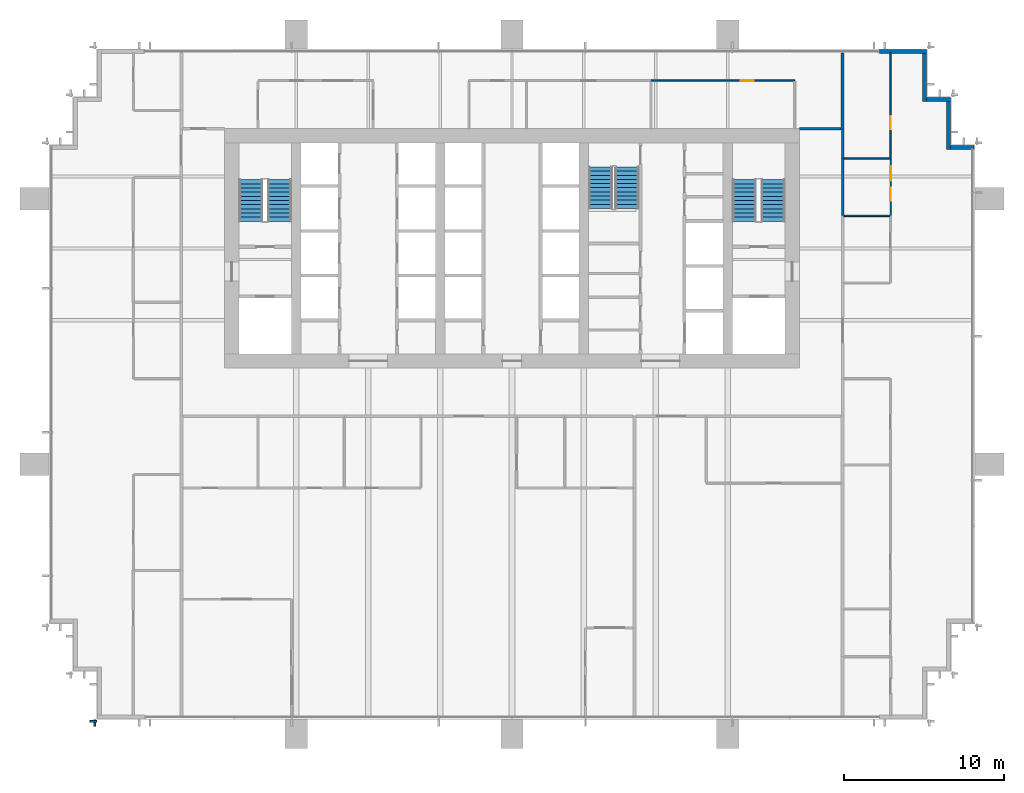
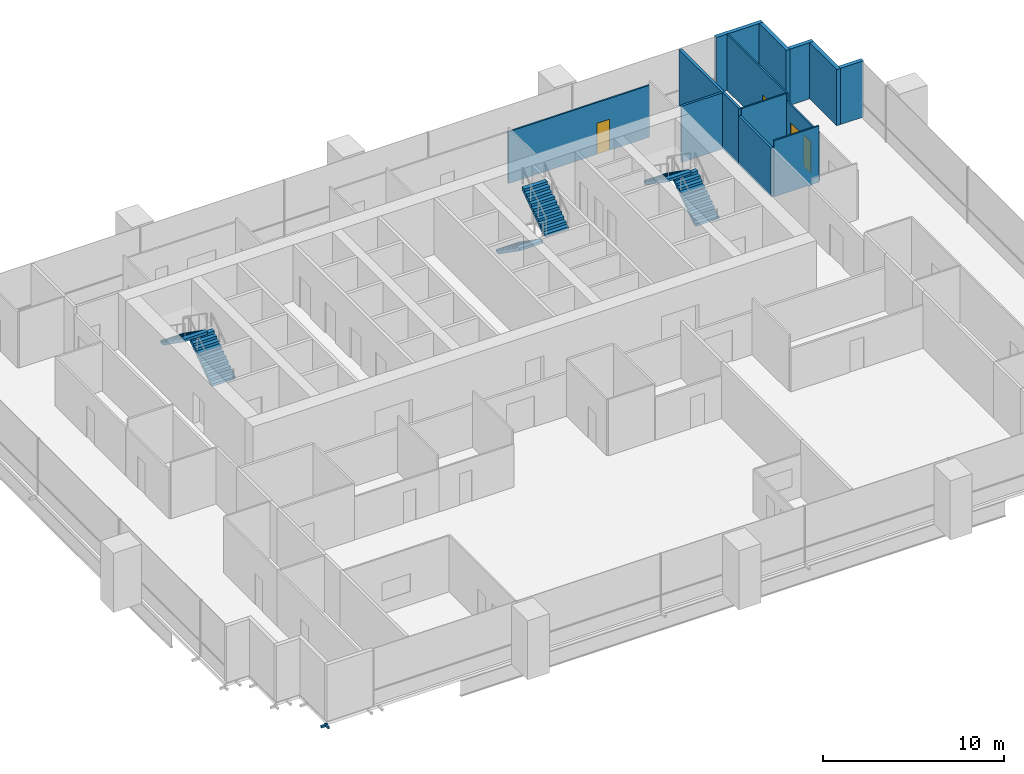
# One storey, part 14 of 16: 14 walls, 6 stair flights, 3 doors, 2 discrete accessories, 1 window, 4 openings, 3 elements without a shape of their own.
"""IFC4 building model written with IfcOpenShell, lengths in metres."""

from ifc_helpers import new_model, si_unit, direction, frame, frame_2d, origin, origin_2d, place, context, subcontext, project, spatial, polyline, rectangle, outline, extrude, material, layer, layer_set, type_object, element, fill, aggregate, save


model = new_model("IFC4")

# Units and contexts
model_context = context("Model", 3, precision=1e-05, world=origin(), true_north=direction((0.0, 1.0)))
body_context = subcontext(model_context, "Body", "Model", "MODEL_VIEW")
ifc_project = project(units=[si_unit("LENGTHUNIT", "METRE"), si_unit("AREAUNIT", "SQUARE_METRE"), si_unit("VOLUMEUNIT", "CUBIC_METRE"), si_unit("PLANEANGLEUNIT", "RADIAN"), si_unit("MASSUNIT", "GRAM", prefix="KILO")], contexts=[model_context])

# Site, building, storey
site_placement = place(None, origin())
site = spatial("IfcSite", under=ifc_project, at=site_placement, CompositionType="ELEMENT")
building_placement = place(site_placement, origin())
building = spatial("IfcBuilding", under=site, at=building_placement, Name="Rattan Terrace Tower", CompositionType="ELEMENT")
storey_placement = place(building_placement, frame((0.0, 0.0, 130.10009765625)))
storey = spatial("IfcBuildingStorey", under=building, at=storey_placement, Name="L29", CompositionType="ELEMENT", Elevation=130.10009765625)

# Walls
ifc_material_1 = material(Name="Insulated aluminium-clad stud wall", Category="aluminium")
ifc_layer_1 = layer(ifc_material_1, 0.25)
ifc_layer_set_1 = layer_set([ifc_layer_1], Name="Facade Riser Wall 250")
wall_type_1 = type_object("IfcWallType", Name="Facade Riser Wall 250", PredefinedType="SOLIDWALL", material=ifc_layer_set_1)
wall_1_placement = place(storey_placement, frame((28.909912109375, 6.330078125, 0.0), z_axis=(0.0, 0.0, 1.0), x_axis=(-1.0, 0.0, 0.0)))
element("IfcWall", 1, at=wall_1_placement, inside=storey, type_object=wall_type_1, Name="Riser wall L29-6", PredefinedType="SOLIDWALL", context=body_context, shape_type="SweptSolid", body=[
    extrude(rectangle(XDim=1.454833984375, YDim=0.25, at=frame_2d((0.7275390625, 0.0))), origin(), (0.0, 0.0, 1.0), 3.7998046875),
])
wall_2_placement = place(storey_placement, frame((27.330078125, 6.205078125, 0.0), z_axis=(0.0, 0.0, 1.0), x_axis=(0.0, 1.0, 0.0)))
element("IfcWall", 2, at=wall_2_placement, inside=storey, type_object=wall_type_1, Name="Riser wall L29-7", PredefinedType="SOLIDWALL", context=body_context, shape_type="SweptSolid", body=[
    extrude(rectangle(XDim=3.0, YDim=0.25, at=frame_2d((1.5, 0.0))), origin(), (0.0, 0.0, 1.0), 3.7998046875),
])
wall_3_placement = place(storey_placement, frame((27.455078125, 9.330078125, 0.0), z_axis=(0.0, 0.0, 1.0), x_axis=(-1.0, 0.0, 0.0)))
element("IfcWall", 3, at=wall_3_placement, inside=storey, type_object=wall_type_1, Name="Riser wall L29-8", PredefinedType="SOLIDWALL", context=body_context, shape_type="SweptSolid", body=[
    extrude(rectangle(XDim=1.5, YDim=0.25, at=frame_2d((0.75, 0.0))), origin(), (0.0, 0.0, 1.0), 3.7998046875),
])
wall_4_placement = place(storey_placement, frame((25.830078125, 9.205078125, 0.0), z_axis=(0.0, 0.0, 1.0), x_axis=(0.0, 1.0, 0.0)))
element("IfcWall", 4, at=wall_4_placement, inside=storey, type_object=wall_type_1, Name="Riser wall L29-9", PredefinedType="SOLIDWALL", context=body_context, shape_type="SweptSolid", body=[
    extrude(rectangle(XDim=3.0, YDim=0.25, at=frame_2d((1.5, 0.0))), origin(), (0.0, 0.0, 1.0), 3.7998046875),
])
wall_5_placement = place(storey_placement, frame((25.955078125, 12.330078125, 0.0), z_axis=(0.0, 0.0, 1.0), x_axis=(-1.0, 0.0, 0.0)))
element("IfcWall", 5, at=wall_5_placement, inside=storey, type_object=wall_type_1, Name="Riser wall L29-10", PredefinedType="SOLIDWALL", context=body_context, shape_type="SweptSolid", body=[
    extrude(rectangle(XDim=2.955078125, YDim=0.25, at=frame_2d((1.4775390625, 0.0))), origin(), (0.0, 0.0, 1.0), 3.7998046875),
])
ifc_material_2 = material(Name="Double steel stud acoustic partition, gypsum board, mineral wool, fire rated", Category="steel")
ifc_layer_2 = layer(ifc_material_2, 0.179931640625)
ifc_layer_set_2 = layer_set([ifc_layer_2], Name="Floors Acoustic Party Wall 180")
wall_type_2 = type_object("IfcWallType", Name="Floors Acoustic Party Wall 180", PredefinedType="PARTITIONING", material=ifc_layer_set_2)
wall_6_placement = place(storey_placement, frame((20.699951171875, 7.47998046875, 0.0), z_axis=(0.0, 0.0, 1.0), x_axis=(0.0, 1.0, 0.0)))
element("IfcWall", 6, at=wall_6_placement, inside=storey, type_object=wall_type_2, Name="pt-L29-076", PredefinedType="PARTITIONING", context=body_context, shape_type="SweptSolid", body=[
    extrude(rectangle(XDim=4.760009765625, YDim=0.179931640625, at=frame_2d((2.3798828125, 0.0))), origin(), (0.0, 0.0, 1.0), 3.7998046875),
])

# Wall, openings, door, window
ifc_material_3 = material(Name="Gypsum board partition on steel studs", Category="steel")
ifc_layer_3 = layer(ifc_material_3, 0.10009765625)
ifc_layer_set_3 = layer_set([ifc_layer_3], Name="Floors Partition 100")
wall_type_3 = type_object("IfcWallType", Name="Floors Partition 100", PredefinedType="PARTITIONING", material=ifc_layer_set_3)
wall_7_placement = place(storey_placement, frame((23.699951171875, 2.06005859375, 0.0), z_axis=(0.0, 0.0, 1.0), x_axis=(0.0, 1.0, 0.0)))
wall_7 = element("IfcWall", 7, at=wall_7_placement, inside=storey, type_object=wall_type_3, Name="pt-L29-069", PredefinedType="PARTITIONING", context=body_context, shape_type="SweptSolid", body=[
    extrude(rectangle(XDim=3.56005859375, YDim=0.10009765625, at=frame_2d((1.780029296875, 0.0))), origin(), (0.0, 0.0, 1.0), 3.2998046875),
])
opening_1_placement = place(wall_7_placement, frame((0.927978515625, 0.0, 0.0)))
opening_1 = element("IfcOpeningElement", 8, at=opening_1_placement, cuts=wall_7, Name="Opening L29-D122", PredefinedType="OPENING", context=body_context, shape_type="SweptSolid", body=[
    extrude(rectangle(XDim=0.800048828125, YDim=2.10009765625, at=frame_2d((0.39990234375, 1.050048828125))), frame((0.0, 0.060546875, 0.0), z_axis=(0.0, -1.0, 0.0), x_axis=(1.0, 0.0, 0.0)), (0.0, 0.0, 1.0), 0.12109375),
])
opening_2_placement = place(wall_7_placement, frame((2.178955078125, 0.0, 0.89990234375)))
opening_2 = element("IfcOpeningElement", 9, at=opening_2_placement, cuts=wall_7, Name="Opening L29-W104", PredefinedType="OPENING", context=body_context, shape_type="SweptSolid", body=[
    extrude(rectangle(XDim=0.89990234375, YDim=1.199951171875, at=frame_2d((0.449951171875, 0.60009765625))), frame((0.0, 0.060546875, 0.0), z_axis=(0.0, -1.0, 0.0), x_axis=(1.0, 0.0, 0.0)), (0.0, 0.0, 1.0), 0.12109375),
])
ifc_material_4 = material(Name="Solid core timber door, painted", Category="wood")
door_type = type_object("IfcDoorType", Name="Floors Store Door 800x2100", OperationType="NOTDEFINED", PredefinedType="DOOR", material=ifc_material_4)
door_1_placement = place(opening_1_placement, origin())
door_1 = element("IfcDoor", 10, at=door_1_placement, inside=storey, type_object=door_type, Name="d-L29-122", OperationType="SINGLE_SWING_LEFT", OverallHeight=2.10009765625, OverallWidth=0.800048828125, PredefinedType="DOOR", context=body_context, shape_type="SweptSolid", body=[
    extrude(rectangle(XDim=0.800048828125, YDim=2.10009765625, at=frame_2d((0.39990234375, 1.050048828125))), frame((0.0, 0.02490234375, 0.0), z_axis=(0.0, -1.0, 0.0), x_axis=(1.0, 0.0, 0.0)), (0.0, 0.0, 1.0), 0.050048828125),
])
fill(opening_1, door_1)
ifc_material_5 = material(Name="Glass, clear, fixed in aluminium frame", Category="aluminium")
window_type = type_object("IfcWindowType", Name="Interior Vision Window 900x1200", PartitioningType="SINGLE_PANEL", PredefinedType="WINDOW", material=ifc_material_5)
window_placement = place(opening_2_placement, origin())
window = element("IfcWindow", 11, at=window_placement, inside=storey, type_object=window_type, Name="w-L29-104", OverallHeight=1.199951171875, OverallWidth=0.89990234375, PartitioningType="SINGLE_PANEL", PredefinedType="WINDOW", context=body_context, shape_type="SweptSolid", body=[
    extrude(rectangle(XDim=0.89990234375, YDim=1.199951171875, at=frame_2d((0.449951171875, 0.60009765625))), frame((0.0, 0.030029296875, 0.0), z_axis=(0.0, -1.0, 0.0), x_axis=(1.0, 0.0, 0.0)), (0.0, 0.0, 1.0), 0.06005859375),
])
fill(opening_2, window)

# Wall, opening, door
wall_8_placement = place(storey_placement, frame((23.699951171875, 5.6201171875, 0.0), z_axis=(0.0, 0.0, 1.0), x_axis=(0.0, 1.0, 0.0)))
wall_8 = element("IfcWall", 12, at=wall_8_placement, inside=storey, type_object=wall_type_3, Name="pt-L29-070", PredefinedType="PARTITIONING", context=body_context, shape_type="SweptSolid", body=[
    extrude(rectangle(XDim=6.619873046875, YDim=0.10009765625, at=frame_2d((3.31005859375, 0.0))), origin(), (0.0, 0.0, 1.0), 3.7998046875),
])
opening_3_placement = place(wall_8_placement, frame((1.845947265625, 0.0, 0.0)))
opening_3 = element("IfcOpeningElement", 13, at=opening_3_placement, cuts=wall_8, Name="Opening L29-D123", PredefinedType="OPENING", context=body_context, shape_type="SweptSolid", body=[
    extrude(rectangle(XDim=0.800048828125, YDim=2.10009765625, at=frame_2d((0.39990234375, 1.050048828125))), frame((0.0, 0.060546875, 0.0), z_axis=(0.0, -1.0, 0.0), x_axis=(1.0, 0.0, 0.0)), (0.0, 0.0, 1.0), 0.12109375),
])
door_2_placement = place(opening_3_placement, origin())
door_2 = element("IfcDoor", 14, at=door_2_placement, inside=storey, type_object=door_type, Name="d-L29-123", OperationType="SINGLE_SWING_LEFT", OverallHeight=2.10009765625, OverallWidth=0.800048828125, PredefinedType="DOOR", context=body_context, shape_type="SweptSolid", body=[
    extrude(rectangle(XDim=0.800048828125, YDim=2.10009765625, at=frame_2d((0.39990234375, 1.050048828125))), frame((0.0, 0.02490234375, 0.0), z_axis=(0.0, -1.0, 0.0), x_axis=(1.0, 0.0, 0.0)), (0.0, 0.0, 1.0), 0.050048828125),
])
fill(opening_3, door_2)

# Walls
for number, where, z_axis, x_axis, name in (
    (15, (20.77490234375, 2.0400390625, 0.0), (0.0, 0.0, 1.0), (1.0, 0.0, 0.0), "pt-L29-074"),
    (16, (20.77490234375, 5.639892578125, 0.0), (0.0, 0.0, 1.0), (1.0, 0.0, 0.0), "pt-L29-075"),
):
    element("IfcWall", number, at=place(storey_placement, frame(where, z_axis=z_axis, x_axis=x_axis)), inside=storey, type_object=wall_type_3, Name=name, PredefinedType="PARTITIONING", context=body_context, shape_type="SweptSolid", body=[
        extrude(rectangle(XDim=2.875, YDim=0.10009765625, at=frame_2d((1.4375, 0.0))), origin(), (0.0, 0.0, 1.0), 3.7998046875),
    ])

# Wall, opening, door
wall_9_placement = place(storey_placement, frame((17.699951171875, 10.5, 0.0), z_axis=(0.0, 0.0, 1.0), x_axis=(-1.0, 0.0, 0.0)))
wall_9 = element("IfcWall", 17, at=wall_9_placement, inside=storey, type_object=wall_type_3, Name="pt-L29-083", PredefinedType="PARTITIONING", context=body_context, shape_type="SweptSolid", body=[
    extrude(rectangle(XDim=9.02001953125, YDim=0.10009765625, at=frame_2d((4.510009765625, 0.0))), origin(), (0.0, 0.0, 1.0), 3.5),
])
opening_4_placement = place(wall_9_placement, frame((2.56591796875, 0.0, 0.0)))
opening_4 = element("IfcOpeningElement", 18, at=opening_4_placement, cuts=wall_9, Name="Opening L29-D128", PredefinedType="OPENING", context=body_context, shape_type="SweptSolid", body=[
    extrude(rectangle(XDim=0.800048828125, YDim=2.10009765625, at=frame_2d((0.39990234375, 1.050048828125))), frame((0.0, 0.060546875, 0.0), z_axis=(0.0, -1.0, 0.0), x_axis=(1.0, 0.0, 0.0)), (0.0, 0.0, 1.0), 0.12109375),
])
door_3_placement = place(opening_4_placement, origin())
door_3 = element("IfcDoor", 19, at=door_3_placement, inside=storey, type_object=door_type, Name="d-L29-128", OperationType="SINGLE_SWING_LEFT", OverallHeight=2.10009765625, OverallWidth=0.800048828125, PredefinedType="DOOR", context=body_context, shape_type="SweptSolid", body=[
    extrude(rectangle(XDim=0.800048828125, YDim=2.10009765625, at=frame_2d((0.39990234375, 1.050048828125))), frame((0.0, 0.02490234375, 0.0), z_axis=(0.0, -1.0, 0.0), x_axis=(1.0, 0.0, 0.0)), (0.0, 0.0, 1.0), 0.050048828125),
])
fill(opening_4, door_3)

# Walls
ifc_material_6 = material(Name="Gypsum board partition on steel studs, fire rated", Category="steel")
ifc_layer_4 = layer(ifc_material_6, 0.14990234375)
ifc_layer_set_4 = layer_set([ifc_layer_4], Name="Floors Tenancy Wall 150")
wall_type_4 = type_object("IfcWallType", Name="Floors Tenancy Wall 150", PredefinedType="PARTITIONING", material=ifc_layer_set_4)
wall_10_placement = place(storey_placement, frame((20.699951171875, 5.659912109375, 0.0), z_axis=(0.0, 0.0, 1.0), x_axis=(0.0, -1.0, 0.0)))
element("IfcWall", 20, at=wall_10_placement, inside=storey, type_object=wall_type_4, Name="pt-L29-016", PredefinedType="PARTITIONING", context=body_context, shape_type="SweptSolid", body=[
    extrude(rectangle(XDim=3.599853515625, YDim=0.14990234375, at=frame_2d((1.7998046875, 0.0))), origin(), (0.0, 0.0, 1.0), 3.2998046875),
])
wall_11_placement = place(storey_placement, frame((20.700927734375, 7.47998046875, 0.0), z_axis=(0.0, 0.0, 1.0), x_axis=(0.0, -1.0, 0.0)))
element("IfcWall", 21, at=wall_11_placement, inside=storey, type_object=wall_type_4, Name="pt-L29-017", PredefinedType="PARTITIONING", context=body_context, shape_type="SweptSolid", body=[
    extrude(rectangle(XDim=1.820068359375, YDim=0.14990234375, at=frame_2d((0.91015625, 0.0))), origin(), (0.0, 0.0, 1.0), 3.7998046875),
])
wall_12_placement = place(storey_placement, frame((18.0, 7.4990234375, 0.0), z_axis=(0.0, 0.0, 1.0), x_axis=(1.0, 0.0, 0.0)))
element("IfcWall", 22, at=wall_12_placement, inside=storey, type_object=wall_type_4, Name="pt-L29-019", PredefinedType="PARTITIONING", context=body_context, shape_type="SweptSolid", body=[
    extrude(rectangle(XDim=2.610107421875, YDim=0.14990234375, at=frame_2d((1.30517578125, 0.0))), origin(), (0.0, 0.0, 1.0), 3.7998046875),
])

# Stair, stair flights
ifc_material_7 = material(Name="Concrete C40/50", Category="concrete")
stair_type = type_object("IfcStairType", Name="Core exit stair 1500", PredefinedType="HALF_TURN_STAIR", material=ifc_material_7)
stair_1_placement = place(storey_placement, origin())
stair_1 = element("IfcStair", 23, at=stair_1_placement, inside=storey, type_object=stair_type, Name="L29 exit stair 1", PredefinedType="HALF_TURN_STAIR")
ifc_material_8 = material(Name="Concrete C40/50", Category="concrete")
stair_flight_type = type_object("IfcStairFlightType", Name="Core exit stair flight 1500", PredefinedType="STRAIGHT", material=ifc_material_8)
stair_flight_1_placement = place(storey_placement, frame((-14.550048828125, 1.699951171875, 0.0), z_axis=(0.0, 0.0, 1.0), x_axis=(0.0, 1.0, 0.0)))
stair_flight_1 = element("IfcStairFlight", 24, at=stair_flight_1_placement, type_object=stair_flight_type, Name="S1 flight 1", NumberOfRisers=11, NumberOfTreads=10, PredefinedType="STRAIGHT", RiserHeight=0.181818182, TreadLength=0.26, context=body_context, shape_type="SweptSolid", body=[
    extrude(outline(polyline([(0.0, 0.0), (0.0, 0.181884765625), (0.260009765625, 0.181884765625), (0.260009765625, 0.363525390625), (0.52001953125, 0.363525390625), (0.52001953125, 0.54541015625), (0.780029296875, 0.54541015625), (0.780029296875, 0.727294921875), (1.0400390625, 0.727294921875), (1.0400390625, 0.9091796875), (1.300048828125, 0.9091796875), (1.300048828125, 1.0908203125), (1.56005859375, 1.0908203125), (1.56005859375, 1.272705078125), (1.820068359375, 1.272705078125), (1.820068359375, 1.45458984375), (2.080078125, 1.45458984375), (2.080078125, 1.636474609375), (2.340087890625, 1.636474609375), (2.340087890625, 1.818115234375), (2.60009765625, 1.818115234375), (2.60009765625, 2.0), (2.60009765625, 1.63525390625), (0.261474609375, 0.0), (0.0, 0.0)])), frame((0.0, 0.75, 0.0), z_axis=(0.0, -1.0, 0.0), x_axis=(1.0, 0.0, 0.0)), (0.0, 0.0, 1.0), 1.5),
])
stair_flight_2_placement = place(storey_placement, frame((-16.35009765625, 4.300048828125, 2.0), z_axis=(0.0, 0.0, 1.0), x_axis=(0.0, -1.0, 0.0)))
stair_flight_2 = element("IfcStairFlight", 25, at=stair_flight_2_placement, type_object=stair_flight_type, Name="S1 flight 2", NumberOfRisers=11, NumberOfTreads=10, PredefinedType="STRAIGHT", RiserHeight=0.181818182, TreadLength=0.26, context=body_context, shape_type="SweptSolid", body=[
    extrude(outline(polyline([(0.0, 0.0), (0.0, 0.181884765625), (0.260009765625, 0.181884765625), (0.260009765625, 0.363525390625), (0.52001953125, 0.363525390625), (0.52001953125, 0.54541015625), (0.780029296875, 0.54541015625), (0.780029296875, 0.727294921875), (1.0400390625, 0.727294921875), (1.0400390625, 0.9091796875), (1.300048828125, 0.9091796875), (1.300048828125, 1.0908203125), (1.56005859375, 1.0908203125), (1.56005859375, 1.272705078125), (1.820068359375, 1.272705078125), (1.820068359375, 1.45458984375), (2.080078125, 1.45458984375), (2.080078125, 1.636474609375), (2.340087890625, 1.636474609375), (2.340087890625, 1.818115234375), (2.60009765625, 1.818115234375), (2.60009765625, 2.0), (2.60009765625, 1.63525390625), (0.261474609375, 0.0), (0.0, 0.0)])), frame((0.0, 0.75, 0.0), z_axis=(0.0, -1.0, 0.0), x_axis=(1.0, 0.0, 0.0)), (0.0, 0.0, 1.0), 1.5),
])
aggregate(stair_1, [stair_flight_1, stair_flight_2])

stair_2_placement = place(storey_placement, origin())
stair_2 = element("IfcStair", 26, at=stair_2_placement, inside=storey, type_object=stair_type, Name="L29 exit stair 2", PredefinedType="HALF_TURN_STAIR")
stair_flight_3_placement = place(storey_placement, frame((16.35009765625, 1.699951171875, 0.0), z_axis=(0.0, 0.0, 1.0), x_axis=(0.0, 1.0, 0.0)))
stair_flight_3 = element("IfcStairFlight", 27, at=stair_flight_3_placement, type_object=stair_flight_type, Name="S2 flight 1", NumberOfRisers=11, NumberOfTreads=10, PredefinedType="STRAIGHT", RiserHeight=0.181818182, TreadLength=0.26, context=body_context, shape_type="SweptSolid", body=[
    extrude(outline(polyline([(0.0, 0.0), (0.0, 0.181884765625), (0.260009765625, 0.181884765625), (0.260009765625, 0.363525390625), (0.52001953125, 0.363525390625), (0.52001953125, 0.54541015625), (0.780029296875, 0.54541015625), (0.780029296875, 0.727294921875), (1.0400390625, 0.727294921875), (1.0400390625, 0.9091796875), (1.300048828125, 0.9091796875), (1.300048828125, 1.0908203125), (1.56005859375, 1.0908203125), (1.56005859375, 1.272705078125), (1.820068359375, 1.272705078125), (1.820068359375, 1.45458984375), (2.080078125, 1.45458984375), (2.080078125, 1.636474609375), (2.340087890625, 1.636474609375), (2.340087890625, 1.818115234375), (2.60009765625, 1.818115234375), (2.60009765625, 2.0), (2.60009765625, 1.63525390625), (0.261474609375, 0.0), (0.0, 0.0)])), frame((0.0, 0.75, 0.0), z_axis=(0.0, -1.0, 0.0), x_axis=(1.0, 0.0, 0.0)), (0.0, 0.0, 1.0), 1.5),
])
stair_flight_4_placement = place(storey_placement, frame((14.550048828125, 4.300048828125, 2.0), z_axis=(0.0, 0.0, 1.0), x_axis=(0.0, -1.0, 0.0)))
stair_flight_4 = element("IfcStairFlight", 28, at=stair_flight_4_placement, type_object=stair_flight_type, Name="S2 flight 2", NumberOfRisers=11, NumberOfTreads=10, PredefinedType="STRAIGHT", RiserHeight=0.181818182, TreadLength=0.26, context=body_context, shape_type="SweptSolid", body=[
    extrude(outline(polyline([(0.0, 0.0), (0.0, 0.181884765625), (0.260009765625, 0.181884765625), (0.260009765625, 0.363525390625), (0.52001953125, 0.363525390625), (0.52001953125, 0.54541015625), (0.780029296875, 0.54541015625), (0.780029296875, 0.727294921875), (1.0400390625, 0.727294921875), (1.0400390625, 0.9091796875), (1.300048828125, 0.9091796875), (1.300048828125, 1.0908203125), (1.56005859375, 1.0908203125), (1.56005859375, 1.272705078125), (1.820068359375, 1.272705078125), (1.820068359375, 1.45458984375), (2.080078125, 1.45458984375), (2.080078125, 1.636474609375), (2.340087890625, 1.636474609375), (2.340087890625, 1.818115234375), (2.60009765625, 1.818115234375), (2.60009765625, 2.0), (2.60009765625, 1.63525390625), (0.261474609375, 0.0), (0.0, 0.0)])), frame((0.0, 0.75, 0.0), z_axis=(0.0, -1.0, 0.0), x_axis=(1.0, 0.0, 0.0)), (0.0, 0.0, 1.0), 1.5),
])
aggregate(stair_2, [stair_flight_3, stair_flight_4])

stair_3_placement = place(storey_placement, origin())
stair_3 = element("IfcStair", 29, at=stair_3_placement, inside=storey, type_object=stair_type, Name="L29 exit stair 3", PredefinedType="HALF_TURN_STAIR")
stair_flight_5_placement = place(storey_placement, frame((5.550048828125, 5.10009765625, 0.0), z_axis=(0.0, 0.0, 1.0), x_axis=(0.0, -1.0, 0.0)))
stair_flight_5 = element("IfcStairFlight", 30, at=stair_flight_5_placement, type_object=stair_flight_type, Name="S3 flight 1", NumberOfRisers=11, NumberOfTreads=10, PredefinedType="STRAIGHT", RiserHeight=0.181818182, TreadLength=0.26, context=body_context, shape_type="SweptSolid", body=[
    extrude(outline(polyline([(0.0, 0.0), (0.0, 0.181884765625), (0.260009765625, 0.181884765625), (0.260009765625, 0.363525390625), (0.52001953125, 0.363525390625), (0.52001953125, 0.54541015625), (0.780029296875, 0.54541015625), (0.780029296875, 0.727294921875), (1.0400390625, 0.727294921875), (1.0400390625, 0.9091796875), (1.300048828125, 0.9091796875), (1.300048828125, 1.0908203125), (1.56005859375, 1.0908203125), (1.56005859375, 1.272705078125), (1.820068359375, 1.272705078125), (1.820068359375, 1.45458984375), (2.080078125, 1.45458984375), (2.080078125, 1.636474609375), (2.340087890625, 1.636474609375), (2.340087890625, 1.818115234375), (2.60009765625, 1.818115234375), (2.60009765625, 2.0), (2.60009765625, 1.63525390625), (0.261474609375, 0.0), (0.0, 0.0)])), frame((0.0, 0.75, 0.0), z_axis=(0.0, -1.0, 0.0), x_axis=(1.0, 0.0, 0.0)), (0.0, 0.0, 1.0), 1.5),
])
stair_flight_6_placement = place(storey_placement, frame((7.199951171875, 2.5, 2.0), z_axis=(0.0, 0.0, 1.0), x_axis=(0.0, 1.0, 0.0)))
stair_flight_6 = element("IfcStairFlight", 31, at=stair_flight_6_placement, type_object=stair_flight_type, Name="S3 flight 2", NumberOfRisers=11, NumberOfTreads=10, PredefinedType="STRAIGHT", RiserHeight=0.181818182, TreadLength=0.26, context=body_context, shape_type="SweptSolid", body=[
    extrude(outline(polyline([(0.0, 0.0), (0.0, 0.181884765625), (0.260009765625, 0.181884765625), (0.260009765625, 0.363525390625), (0.52001953125, 0.363525390625), (0.52001953125, 0.54541015625), (0.780029296875, 0.54541015625), (0.780029296875, 0.727294921875), (1.0400390625, 0.727294921875), (1.0400390625, 0.9091796875), (1.300048828125, 0.9091796875), (1.300048828125, 1.0908203125), (1.56005859375, 1.0908203125), (1.56005859375, 1.272705078125), (1.820068359375, 1.272705078125), (1.820068359375, 1.45458984375), (2.080078125, 1.45458984375), (2.080078125, 1.636474609375), (2.340087890625, 1.636474609375), (2.340087890625, 1.818115234375), (2.60009765625, 1.818115234375), (2.60009765625, 2.0), (2.60009765625, 1.63525390625), (0.261474609375, 0.0), (0.0, 0.0)])), frame((0.0, 0.75, 0.0), z_axis=(0.0, -1.0, 0.0), x_axis=(1.0, 0.0, 0.0)), (0.0, 0.0, 1.0), 1.5),
])
aggregate(stair_3, [stair_flight_5, stair_flight_6])

# Discrete accessories
for number, where, z_axis, x_axis, name in (
    (32, (-26.2099609375, -29.610107421875, -0.169921875), (0.0, 0.0, 1.0), (0.0, -1.0, 0.0), "Panel bracket L29-54"),
    (33, (-26.110107421875, -29.7099609375, -0.169921875), (0.0, 0.0, 1.0), (1.0, 0.0, 0.0), "Panel bracket L29-55"),
):
    element("IfcDiscreteAccessory", number, at=place(storey_placement, frame(where, z_axis=z_axis, x_axis=x_axis)), inside=storey, Name=name, PredefinedType="BRACKET", context=body_context, shape_type="SweptSolid", body=[
        extrude(rectangle(XDim=0.1201171875, YDim=0.419921875, at=origin_2d()), origin(), (0.0, 0.0, 1.0), 0.139892578125),
    ])

save(model, "model.ifc")
